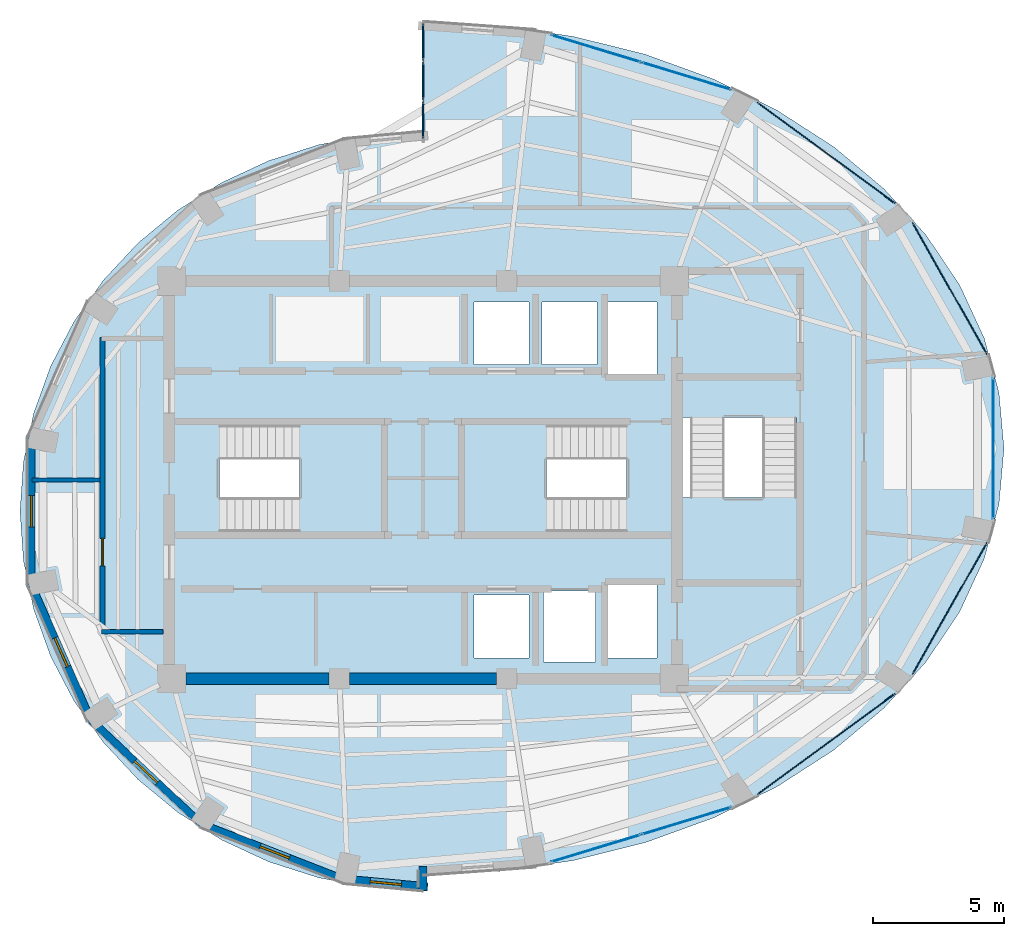
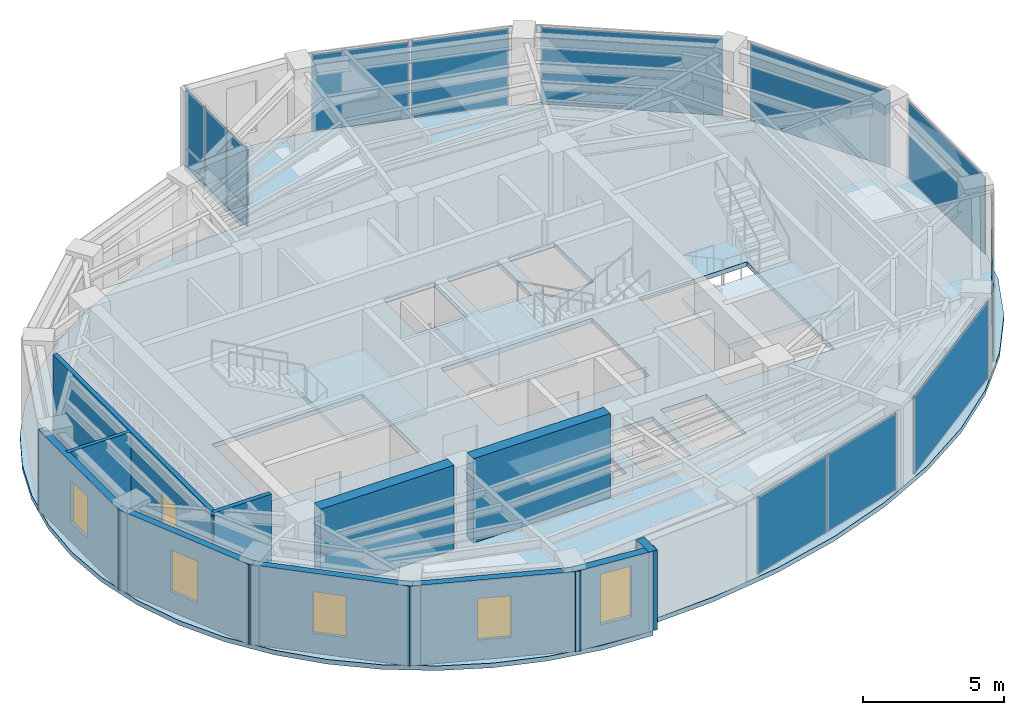
# One storey, part 10 of 15: 15 plates, 11 walls, 5 windows, 4 slabs, 1 door, 6 openings, 11 elements without a shape of their own.
"""IFC4 building model written with IfcOpenShell, lengths in metres."""

from ifc_helpers import new_model, si_unit, direction, frame, frame_2d, origin, origin_2d, place, context, subcontext, project, spatial, polyline, rectangle, outline, extrude, material, layer, layer_set, type_object, element, fill, aggregate, save


model = new_model("IFC4")

# Units and contexts
model_context = context("Model", 3, precision=1e-05, world=origin(), true_north=direction((0.0, 1.0)))
body_context = subcontext(model_context, "Body", "Model", "MODEL_VIEW")
ifc_project = project(units=[si_unit("LENGTHUNIT", "METRE"), si_unit("AREAUNIT", "SQUARE_METRE"), si_unit("VOLUMEUNIT", "CUBIC_METRE"), si_unit("PLANEANGLEUNIT", "RADIAN"), si_unit("MASSUNIT", "GRAM", prefix="KILO")], contexts=[model_context])

# Site, building, storey
site_placement = place(None, origin())
site = spatial("IfcSite", under=ifc_project, at=site_placement, CompositionType="ELEMENT")
building_placement = place(site_placement, origin())
building = spatial("IfcBuilding", under=site, at=building_placement, Name="Lazwardi Medical Tower", CompositionType="ELEMENT")
storey_placement = place(building_placement, frame((0.0, 0.0, 284.2080078125)))
storey = spatial("IfcBuildingStorey", under=building, at=storey_placement, Name="L74", CompositionType="ELEMENT", Elevation=284.2080078125)

# Curtain wall, plates
ifc_material_1 = material(Name="Anodised bronze aluminium and solar control glazing", Category="aluminium")
ifc_layer_1 = layer(ifc_material_1, 0.18994140625)
ifc_layer_set_1 = layer_set([ifc_layer_1], Name="Anodised bronze aluminium and solar control glazing")
curtain_wall_type_1 = type_object("IfcCurtainWallType", Name="CW-SYS-04", PredefinedType="NOTDEFINED", material=ifc_layer_set_1)
curtain_wall_1_placement = place(storey_placement, origin())
curtain_wall_1 = element("IfcCurtainWall", 1, at=curtain_wall_1_placement, inside=storey, type_object=curtain_wall_type_1, Name="L74 Unitised bronze curtain wall CW-04", PredefinedType="NOTDEFINED")
ifc_material_2 = material(Name="Low-e bronze solar control double glazing", Category="glass")
ifc_layer_2 = layer(ifc_material_2, 0.035888671875)
ifc_layer_set_2 = layer_set([ifc_layer_2], Name="Low-e bronze solar control double glazing")
plate_type_1 = type_object("IfcPlateType", Name="PLT-GLZ-01", PredefinedType="CURTAIN_PANEL", material=ifc_layer_set_2)
plate_1_placement = place(storey_placement, frame((42.604736328125, 13.918701171875, 0.06494140625), z_axis=(0.0, 0.0, 1.0), x_axis=(0.956850126972, 0.290581889515, 0.0)))
plate_1 = element("IfcPlate", 2, at=plate_1_placement, type_object=plate_type_1, Name="CW-04 panel 1.1", PredefinedType="CURTAIN_PANEL", context=body_context, shape_type="SweptSolid", body=[
    extrude(rectangle(XDim=3.554443359375, YDim=0.035888671875, at=origin_2d()), origin(), (0.0, 0.0, 1.0), 3.318115234375),
])
plate_2_placement = place(storey_placement, frame((46.068115234375, 14.970458984375, 0.06494140625), z_axis=(0.0, 0.0, 1.0), x_axis=(0.956850126972, 0.290581889515, 0.0)))
plate_2 = element("IfcPlate", 3, at=plate_2_placement, type_object=plate_type_1, Name="CW-04 panel 2.1", PredefinedType="CURTAIN_PANEL", context=body_context, shape_type="SweptSolid", body=[
    extrude(rectangle(XDim=3.554443359375, YDim=0.035888671875, at=origin_2d()), origin(), (0.0, 0.0, 1.0), 3.318115234375),
])
aggregate(curtain_wall_1, [plate_1, plate_2])

# Curtain wall, plate
curtain_wall_2_placement = place(storey_placement, origin())
curtain_wall_2 = element("IfcCurtainWall", 4, at=curtain_wall_2_placement, inside=storey, type_object=curtain_wall_type_1, Name="L74 Unitised bronze curtain wall CW-04", PredefinedType="NOTDEFINED")
plate_3_placement = place(storey_placement, frame((51.403564453125, 17.90673828125, 0.06494140625), z_axis=(0.0, 0.0, 1.0), x_axis=(0.806474971121, 0.591268230971, 0.0)))
plate_3 = element("IfcPlate", 5, at=plate_3_placement, type_object=plate_type_1, Name="CW-04 panel 1.1", PredefinedType="CURTAIN_PANEL", context=body_context, shape_type="SweptSolid", body=[
    extrude(rectangle(XDim=6.502685546875, YDim=0.035888671875, at=origin_2d()), origin(), (0.0, 0.0, 1.0), 3.318115234375),
])
aggregate(curtain_wall_2, [plate_3])

curtain_wall_3_placement = place(storey_placement, origin())
curtain_wall_3 = element("IfcCurtainWall", 6, at=curtain_wall_3_placement, inside=storey, type_object=curtain_wall_type_1, Name="L74 Unitised bronze curtain wall CW-04", PredefinedType="NOTDEFINED")
plate_4_placement = place(storey_placement, frame((56.125732421875, 23.088134765625, 0.06494140625), z_axis=(0.0, 0.0, 1.0), x_axis=(0.491900474661, 0.870651436011, 0.0)))
plate_4 = element("IfcPlate", 7, at=plate_4_placement, type_object=plate_type_1, Name="CW-04 panel 1.1", PredefinedType="CURTAIN_PANEL", context=body_context, shape_type="SweptSolid", body=[
    extrude(rectangle(XDim=5.755126953125, YDim=0.035888671875, at=origin_2d()), origin(), (0.0, 0.0, 1.0), 3.318115234375),
])
aggregate(curtain_wall_3, [plate_4])

curtain_wall_4_placement = place(storey_placement, origin())
curtain_wall_4 = element("IfcCurtainWall", 8, at=curtain_wall_4_placement, inside=storey, type_object=curtain_wall_type_1, Name="L74 Unitised bronze curtain wall CW-04", PredefinedType="NOTDEFINED")
plate_5_placement = place(storey_placement, frame((57.7841796875, 29.199951171875, 0.06494140625), z_axis=(0.0, 0.0, 1.0), x_axis=(0.0, 1.0, 0.0)))
plate_5 = element("IfcPlate", 9, at=plate_5_placement, type_object=plate_type_1, Name="CW-04 panel 1.1", PredefinedType="CURTAIN_PANEL", context=body_context, shape_type="SweptSolid", body=[
    extrude(rectangle(XDim=5.416015625, YDim=0.035888671875, at=origin_2d()), origin(), (0.0, 0.0, 1.0), 3.318115234375),
])
aggregate(curtain_wall_4, [plate_5])

curtain_wall_5_placement = place(storey_placement, origin())
curtain_wall_5 = element("IfcCurtainWall", 10, at=curtain_wall_5_placement, inside=storey, type_object=curtain_wall_type_1, Name="L74 Unitised bronze curtain wall CW-04", PredefinedType="NOTDEFINED")
plate_6_placement = place(storey_placement, frame((56.125732421875, 35.311767578125, 0.06494140625), z_axis=(0.0, 0.0, 1.0), x_axis=(-0.491900474661, 0.870651436011, 0.0)))
plate_6 = element("IfcPlate", 11, at=plate_6_placement, type_object=plate_type_1, Name="CW-04 panel 1.1", PredefinedType="CURTAIN_PANEL", context=body_context, shape_type="SweptSolid", body=[
    extrude(rectangle(XDim=5.755126953125, YDim=0.035888671875, at=origin_2d()), origin(), (0.0, 0.0, 1.0), 3.318115234375),
])
aggregate(curtain_wall_5, [plate_6])

curtain_wall_6_placement = place(storey_placement, origin())
curtain_wall_6 = element("IfcCurtainWall", 12, at=curtain_wall_6_placement, inside=storey, type_object=curtain_wall_type_1, Name="L74 Unitised bronze curtain wall CW-04", PredefinedType="NOTDEFINED")
plate_7_placement = place(storey_placement, frame((51.403564453125, 40.4931640625, 0.06494140625), z_axis=(0.0, 0.0, 1.0), x_axis=(-0.806474971121, 0.591268230971, 0.0)))
plate_7 = element("IfcPlate", 13, at=plate_7_placement, type_object=plate_type_1, Name="CW-04 panel 1.1", PredefinedType="CURTAIN_PANEL", context=body_context, shape_type="SweptSolid", body=[
    extrude(rectangle(XDim=6.502685546875, YDim=0.035888671875, at=origin_2d()), origin(), (0.0, 0.0, 1.0), 3.318115234375),
])
aggregate(curtain_wall_6, [plate_7])

# Curtain wall, plates
curtain_wall_7_placement = place(storey_placement, origin())
curtain_wall_7 = element("IfcCurtainWall", 14, at=curtain_wall_7_placement, inside=storey, type_object=curtain_wall_type_1, Name="L74 Unitised bronze curtain wall CW-04", PredefinedType="NOTDEFINED")
plate_8_placement = place(storey_placement, frame((46.068115234375, 43.429443359375, 0.06494140625), z_axis=(0.0, 0.0, 1.0), x_axis=(-0.956850126972, 0.290581889515, 0.0)))
plate_8 = element("IfcPlate", 15, at=plate_8_placement, type_object=plate_type_1, Name="CW-04 panel 1.1", PredefinedType="CURTAIN_PANEL", context=body_context, shape_type="SweptSolid", body=[
    extrude(rectangle(XDim=3.554443359375, YDim=0.035888671875, at=origin_2d()), origin(), (0.0, 0.0, 1.0), 3.318115234375),
])
plate_9_placement = place(storey_placement, frame((42.604736328125, 44.481201171875, 0.06494140625), z_axis=(0.0, 0.0, 1.0), x_axis=(-0.956850126972, 0.290581889515, 0.0)))
plate_9 = element("IfcPlate", 16, at=plate_9_placement, type_object=plate_type_1, Name="CW-04 panel 2.1", PredefinedType="CURTAIN_PANEL", context=body_context, shape_type="SweptSolid", body=[
    extrude(rectangle(XDim=3.554443359375, YDim=0.035888671875, at=origin_2d()), origin(), (0.0, 0.0, 1.0), 3.318115234375),
])
aggregate(curtain_wall_7, [plate_8, plate_9])

ifc_layer_3 = layer(ifc_material_1, 0.2099609375)
ifc_layer_set_3 = layer_set([ifc_layer_3], Name="Anodised bronze aluminium and solar control glazing")
curtain_wall_type_2 = type_object("IfcCurtainWallType", Name="CW-SYS-06", PredefinedType="NOTDEFINED", material=ifc_layer_set_3)
curtain_wall_8_placement = place(storey_placement, origin())
curtain_wall_8 = element("IfcCurtainWall", 17, at=curtain_wall_8_placement, inside=storey, type_object=curtain_wall_type_2, Name="L74 Unitised bronze curtain wall CW-06", PredefinedType="NOTDEFINED")
ifc_material_3 = material(Name="Turquoise glazed ceramic insulated panel", Category="glass")
ifc_layer_4 = layer(ifc_material_3, 0.053955078125)
ifc_layer_set_4 = layer_set([ifc_layer_4], Name="Turquoise glazed ceramic insulated panel")
plate_type_2 = type_object("IfcPlateType", Name="PLT-TRQ-01", PredefinedType="CURTAIN_PANEL", material=ifc_layer_set_4)
plate_10_placement = place(storey_placement, frame((36.0, 44.72802734375, 0.074951171875), z_axis=(0.0, 0.0, 1.0), x_axis=(0.0, -1.0, 0.0)))
plate_10 = element("IfcPlate", 18, at=plate_10_placement, type_object=plate_type_2, Name="CW-06 panel 1.1", PredefinedType="CURTAIN_PANEL", context=body_context, shape_type="SweptSolid", body=[
    extrude(rectangle(XDim=1.394287109375, YDim=0.053955078125, at=origin_2d()), origin(), (0.0, 0.0, 1.0), 0.78759765625),
])
plate_11_placement = place(storey_placement, frame((36.0, 44.72802734375, 0.9375), z_axis=(0.0, 0.0, 1.0), x_axis=(0.0, -1.0, 0.0)))
plate_11 = element("IfcPlate", 19, at=plate_11_placement, type_object=plate_type_2, Name="CW-06 panel 1.2", PredefinedType="CURTAIN_PANEL", context=body_context, shape_type="SweptSolid", body=[
    extrude(rectangle(XDim=1.394287109375, YDim=0.053955078125, at=origin_2d()), origin(), (0.0, 0.0, 1.0), 2.435546875),
])
plate_12_placement = place(storey_placement, frame((36.0, 43.239990234375, 0.074951171875), z_axis=(0.0, 0.0, 1.0), x_axis=(0.0, -1.0, 0.0)))
plate_12 = element("IfcPlate", 20, at=plate_12_placement, type_object=plate_type_2, Name="CW-06 panel 2.1", PredefinedType="CURTAIN_PANEL", context=body_context, shape_type="SweptSolid", body=[
    extrude(rectangle(XDim=1.431640625, YDim=0.053955078125, at=origin_2d()), origin(), (0.0, 0.0, 1.0), 0.78759765625),
])
plate_13_placement = place(storey_placement, frame((36.0, 43.239990234375, 0.9375), z_axis=(0.0, 0.0, 1.0), x_axis=(0.0, -1.0, 0.0)))
plate_13 = element("IfcPlate", 21, at=plate_13_placement, type_object=plate_type_2, Name="CW-06 panel 2.2", PredefinedType="CURTAIN_PANEL", context=body_context, shape_type="SweptSolid", body=[
    extrude(rectangle(XDim=1.431640625, YDim=0.053955078125, at=origin_2d()), origin(), (0.0, 0.0, 1.0), 2.435546875),
])
plate_14_placement = place(storey_placement, frame((36.0, 41.752197265625, 0.074951171875), z_axis=(0.0, 0.0, 1.0), x_axis=(0.0, -1.0, 0.0)))
plate_14 = element("IfcPlate", 22, at=plate_14_placement, type_object=plate_type_2, Name="CW-06 panel 3.1", PredefinedType="CURTAIN_PANEL", context=body_context, shape_type="SweptSolid", body=[
    extrude(rectangle(XDim=1.394287109375, YDim=0.053955078125, at=origin_2d()), origin(), (0.0, 0.0, 1.0), 0.78759765625),
])
plate_15_placement = place(storey_placement, frame((36.0, 41.752197265625, 0.9375), z_axis=(0.0, 0.0, 1.0), x_axis=(0.0, -1.0, 0.0)))
plate_15 = element("IfcPlate", 23, at=plate_15_placement, type_object=plate_type_2, Name="CW-06 panel 3.2", PredefinedType="CURTAIN_PANEL", context=body_context, shape_type="SweptSolid", body=[
    extrude(rectangle(XDim=1.394287109375, YDim=0.053955078125, at=origin_2d()), origin(), (0.0, 0.0, 1.0), 2.435546875),
])
aggregate(curtain_wall_8, [plate_10, plate_11, plate_12, plate_13, plate_14, plate_15])

# Stair, slab
ifc_material_4 = material(Name="Concrete C45/55", Category="concrete")
stair_type = type_object("IfcStairType", Name="STR-WRD", PredefinedType="HALF_TURN_STAIR", material=ifc_material_4)
stair_1_placement = place(storey_placement, origin())
stair_1 = element("IfcStair", 24, at=stair_1_placement, inside=storey, type_object=stair_type, Name="L74 Protected Exit Stair ST1", PredefinedType="HALF_TURN_STAIR")
ifc_layer_5 = layer(ifc_material_4, 0.199951171875)
ifc_layer_set_5 = layer_set([ifc_layer_5], Name="Concrete C45/55")
slab_type_1 = type_object("IfcSlabType", Name="SLB-LND-190", PredefinedType="LANDING", material=ifc_layer_set_5)
slab_1_placement = place(storey_placement, frame((0.0, 0.0, 1.6240234375)))
slab_1 = element("IfcSlab", 25, at=slab_1_placement, type_object=slab_type_1, Name="ST1 landing 1", PredefinedType="LANDING", context=body_context, shape_type="SweptSolid", body=[
    extrude(outline(polyline([(31.27490234375, 25.840087890625), (34.580078125, 25.840087890625), (34.580078125, 30.280029296875), (31.27490234375, 30.280029296875), (31.27490234375, 25.840087890625)])), origin(), (0.0, 0.0, 1.0), 0.199951171875),
])
aggregate(stair_1, [slab_1])

stair_2_placement = place(storey_placement, origin())
stair_2 = element("IfcStair", 26, at=stair_2_placement, inside=storey, type_object=stair_type, Name="L74 Protected Exit Stair ST2", PredefinedType="HALF_TURN_STAIR")
slab_2_placement = place(storey_placement, frame((0.0, 0.0, 1.6240234375)))
slab_2 = element("IfcSlab", 27, at=slab_2_placement, type_object=slab_type_1, Name="ST2 landing 1", PredefinedType="LANDING", context=body_context, shape_type="SweptSolid", body=[
    extrude(outline(polyline([(40.72509765625, 30.280029296875), (37.419921875, 30.280029296875), (37.419921875, 25.840087890625), (40.72509765625, 25.840087890625), (40.72509765625, 30.280029296875)])), origin(), (0.0, 0.0, 1.0), 0.199951171875),
])
aggregate(stair_2, [slab_2])

stair_3_placement = place(storey_placement, origin())
stair_3 = element("IfcStair", 28, at=stair_3_placement, inside=storey, type_object=stair_type, Name="L74 Protected Exit Stair ST3", PredefinedType="HALF_TURN_STAIR")
slab_3_placement = place(storey_placement, frame((0.0, 0.0, 1.6240234375)))
slab_3 = element("IfcSlab", 29, at=slab_3_placement, type_object=slab_type_1, Name="ST3 landing 1", PredefinedType="LANDING", context=body_context, shape_type="SweptSolid", body=[
    extrude(outline(polyline([(45.860107421875, 27.324951171875), (45.860107421875, 24.02001953125), (50.4599609375, 24.02001953125), (50.4599609375, 27.324951171875), (45.860107421875, 27.324951171875)])), origin(), (0.0, 0.0, 1.0), 0.199951171875),
])
aggregate(stair_3, [slab_3])

# Slab
ifc_material_5 = material(Name="Concrete C50/60", Category="concrete")
ifc_layer_6 = layer(ifc_material_5, 0.199951171875)
ifc_layer_set_6 = layer_set([ifc_layer_6], Name="Concrete C50/60")
slab_type_2 = type_object("IfcSlabType", Name="SLB-UPP-200", PredefinedType="FLOOR", material=ifc_layer_set_6)
slab_4_placement = place(storey_placement, frame((0.0, 0.0, -0.199951171875)))
element("IfcSlab", 30, at=slab_4_placement, inside=storey, type_object=slab_type_2, Name="Structural floor slab SF-04 L74", PredefinedType="FLOOR", context=body_context, shape_type="SweptSolid", body=[
    extrude(outline(polyline([(23.782470703125, 17.972900390625), (25.110595703125, 16.547119140625), (26.625, 15.29638671875), (28.300048828125, 14.24267578125), (30.106689453125, 13.40380859375), (32.01416015625, 12.794189453125), (33.989990234375, 12.424072265625), (36.0, 12.300048828125), (36.0, 12.89990234375), (38.897705078125, 13.039306640625), (41.745849609375, 13.455322265625), (44.49560546875, 14.140869140625), (47.10009765625, 15.083740234375), (49.514404296875, 16.268310546875), (51.69775390625, 17.67431640625), (53.6123046875, 19.277099609375), (55.225830078125, 21.050048828125), (56.510009765625, 22.96240234375), (57.443603515625, 24.981201171875), (58.010009765625, 27.072509765625), (58.199951171875, 29.199951171875), (58.010009765625, 31.32763671875), (57.443603515625, 33.418701171875), (56.510009765625, 35.437744140625), (55.225830078125, 37.35009765625), (53.6123046875, 39.122802734375), (51.69775390625, 40.725830078125), (49.514404296875, 42.131591796875), (47.10009765625, 43.316162109375), (44.49560546875, 44.25927734375), (41.745849609375, 44.944580078125), (38.897705078125, 45.360595703125), (36.0, 45.5), (36.0, 41.300048828125), (33.989990234375, 41.176025390625), (32.01416015625, 40.805908203125), (30.106689453125, 40.1962890625), (28.300048828125, 39.357421875), (26.625, 38.3037109375), (25.110595703125, 37.052978515625), (23.782470703125, 35.626953125), (22.6630859375, 34.050048828125), (21.772216796875, 32.348876953125), (21.124755859375, 30.552978515625), (20.731689453125, 28.692626953125), (20.60009765625, 26.800048828125), (20.731689453125, 24.907470703125), (21.124755859375, 23.047119140625), (21.772216796875, 21.251220703125), (22.6630859375, 19.550048828125), (23.782470703125, 17.972900390625)]), holes=[polyline([(28.22509765625, 26.02001953125), (28.22509765625, 30.10009765625), (34.39990234375, 30.10009765625), (34.39990234375, 26.02001953125), (28.22509765625, 26.02001953125)]), polyline([(37.60009765625, 30.10009765625), (43.77490234375, 30.10009765625), (43.77490234375, 26.02001953125), (37.60009765625, 26.02001953125), (37.60009765625, 30.10009765625)]), polyline([(50.280029296875, 30.375), (50.280029296875, 24.179931640625), (45.840087890625, 24.179931640625), (45.840087890625, 30.375), (50.280029296875, 30.375)]), polyline([(40.050048828125, 32.39990234375), (37.949951171875, 32.39990234375), (37.949951171875, 34.800048828125), (40.050048828125, 34.800048828125), (40.050048828125, 32.39990234375)]), polyline([(40.550048828125, 32.39990234375), (40.550048828125, 34.800048828125), (42.64990234375, 34.800048828125), (42.64990234375, 32.39990234375), (40.550048828125, 32.39990234375)]), polyline([(37.949951171875, 23.60009765625), (40.050048828125, 23.60009765625), (40.050048828125, 21.199951171875), (37.949951171875, 21.199951171875), (37.949951171875, 23.60009765625)]), polyline([(44.949951171875, 34.800048828125), (44.949951171875, 32.0), (43.050048828125, 32.0), (43.050048828125, 34.800048828125), (44.949951171875, 34.800048828125)]), polyline([(44.949951171875, 21.199951171875), (43.050048828125, 21.199951171875), (43.050048828125, 24.0), (44.949951171875, 24.0), (44.949951171875, 21.199951171875)]), polyline([(40.60009765625, 21.050048828125), (40.60009765625, 23.75), (42.60009765625, 23.75), (42.60009765625, 21.050048828125), (40.60009765625, 21.050048828125)])]), origin(), (0.0, 0.0, 1.0), 0.199951171875),
])

# Wall
ifc_material_6 = material(Name="Fire-rated gypsum board on steel stud", Category="steel")
ifc_layer_7 = layer(ifc_material_6, 0.179931640625)
ifc_layer_set_7 = layer_set([ifc_layer_7], Name="Fire-rated gypsum board on steel stud")
wall_type_1 = type_object("IfcWallType", Name="WL-COR-180", PredefinedType="PARTITIONING", material=ifc_layer_set_7)
wall_1_placement = place(storey_placement, frame((26.06005859375, 22.199951171875, 0.0), z_axis=(0.0, 0.0, 1.0), x_axis=(-1.0, 0.0, 0.0)))
element("IfcWall", 31, at=wall_1_placement, inside=storey, type_object=wall_type_1, Name="L74 Corridor partition 7", PredefinedType="PARTITIONING", context=body_context, shape_type="SweptSolid", body=[
    extrude(rectangle(XDim=2.35009765625, YDim=0.179931640625, at=frame_2d((1.175048828125, 0.0))), origin(), (0.0, 0.0, 1.0), 3.447998046875),
])

# Wall, opening, door
wall_2_placement = place(storey_placement, frame((23.75, 22.159912109375, 0.0), z_axis=(0.0, 0.0, 1.0), x_axis=(0.0, 1.0, 0.0)))
wall_2 = element("IfcWall", 32, at=wall_2_placement, inside=storey, type_object=wall_type_1, Name="L74 Corridor partition 8", PredefinedType="PARTITIONING", context=body_context, shape_type="SweptSolid", body=[
    extrude(rectangle(XDim=11.280029296875, YDim=0.179931640625, at=frame_2d((5.64013671875, 0.0))), origin(), (0.0, 0.0, 1.0), 3.447998046875),
])
opening_1_placement = place(wall_2_placement, frame((2.553955078125, 0.0, 0.0)))
opening_1 = element("IfcOpeningElement", 33, at=opening_1_placement, cuts=wall_2, Name="Opening D-L74-014", PredefinedType="OPENING", context=body_context, shape_type="SweptSolid", body=[
    extrude(rectangle(XDim=1.050048828125, YDim=2.14990234375, at=frame_2d((0.52490234375, 1.074951171875))), frame((0.0, 0.099853515625, 0.0), z_axis=(0.0, -1.0, 0.0), x_axis=(1.0, 0.0, 0.0)), (0.0, 0.0, 1.0), 0.199951171875),
])
ifc_material_7 = material(Name="Anti-microbial laminate hospital leaf")
door_type = type_object("IfcDoorType", Name="DR-CLN-1050", OperationType="NOTDEFINED", PredefinedType="DOOR", material=ifc_material_7)
door_placement = place(opening_1_placement, origin())
door = element("IfcDoor", 34, at=door_placement, inside=storey, type_object=door_type, Name="L74 Outpatient Consultation Suite Door 01", OperationType="SINGLE_SWING_RIGHT", OverallHeight=2.14990234375, OverallWidth=1.050048828125, PredefinedType="DOOR", context=body_context, shape_type="SweptSolid", body=[
    extrude(rectangle(XDim=1.050048828125, YDim=2.14990234375, at=frame_2d((0.52490234375, 1.074951171875))), frame((0.0, 0.02490234375, 0.0), z_axis=(0.0, -1.0, 0.0), x_axis=(1.0, 0.0, 0.0)), (0.0, 0.0, 1.0), 0.050048828125),
])
fill(opening_1, door)

# Walls
ifc_material_8 = material(Name="Concrete C60/75", Category="concrete")
ifc_layer_8 = layer(ifc_material_8, 0.449951171875)
ifc_layer_set_8 = layer_set([ifc_layer_8], Name="Concrete C60/75")
wall_type_2 = type_object("IfcWallType", Name="WL-CORE-450", PredefinedType="SHEAR", material=ifc_layer_set_8)
wall_3_placement = place(storey_placement, frame((26.949951171875, 20.39990234375, 0.0), z_axis=(0.0, 0.0, 1.0), x_axis=(1.0, 0.0, 0.0)))
element("IfcWall", 35, at=wall_3_placement, inside=storey, type_object=wall_type_2, Name="Core wall CW-S4 S1 L74", PredefinedType="SHEAR", context=body_context, shape_type="SweptSolid", body=[
    extrude(rectangle(XDim=5.449951171875, YDim=0.449951171875, at=frame_2d((2.72509765625, 0.0))), origin(), (0.0, 0.0, 1.0), 3.64794921875),
])
wall_4_placement = place(storey_placement, frame((33.199951171875, 20.39990234375, 0.0), z_axis=(0.0, 0.0, 1.0), x_axis=(1.0, 0.0, 0.0)))
element("IfcWall", 36, at=wall_4_placement, inside=storey, type_object=wall_type_2, Name="Core wall CW-S4 S2 L74", PredefinedType="SHEAR", context=body_context, shape_type="SweptSolid", body=[
    extrude(rectangle(XDim=5.60009765625, YDim=0.449951171875, at=frame_2d((2.800048828125, 0.0))), origin(), (0.0, 0.0, 1.0), 3.64794921875),
])

# Wall, opening, window
ifc_material_9 = material(Name="Precast concrete C45/55", Category="concrete")
ifc_layer_9 = layer(ifc_material_9, 0.280029296875)
ifc_layer_set_9 = layer_set([ifc_layer_9], Name="Precast concrete C45/55")
wall_type_3 = type_object("IfcWallType", Name="WL-DRUM-280", PredefinedType="SOLIDWALL", material=ifc_layer_set_9)
wall_5_placement = place(storey_placement, frame((21.033203125, 29.701416015625, 0.0), z_axis=(0.0, 0.0, 1.0), x_axis=(0.0, -1.0, 0.0)))
wall_5 = element("IfcWall", 37, at=wall_5_placement, inside=storey, type_object=wall_type_3, Name="L74 West Drum Precast Wall 4", PredefinedType="SOLIDWALL", context=body_context, shape_type="SweptSolid", body=[
    extrude(rectangle(XDim=5.802978515625, YDim=0.280029296875, at=frame_2d((2.9013671875, 0.0))), origin(), (0.0, 0.0, 1.0), 3.447998046875),
])
opening_2_placement = place(wall_5_placement, frame((2.301513671875, 0.0, 0.85009765625)))
opening_2 = element("IfcOpeningElement", 38, at=opening_2_placement, cuts=wall_5, Name="Opening WN-04", PredefinedType="OPENING", context=body_context, shape_type="SweptSolid", body=[
    extrude(rectangle(XDim=1.199951171875, YDim=1.800048828125, at=frame_2d((0.60009765625, 0.89990234375))), frame((0.0, 0.14990234375, 0.0), z_axis=(0.0, -1.0, 0.0), x_axis=(1.0, 0.0, 0.0)), (0.0, 0.0, 1.0), 0.300048828125),
])
window_type_1 = type_object("IfcWindowType", Name="WIN-DRUM-1200", PartitioningType="SINGLE_PANEL", PredefinedType="WINDOW", material=ifc_material_2)
window_1_placement = place(opening_2_placement, origin())
window_1 = element("IfcWindow", 39, at=window_1_placement, inside=storey, type_object=window_type_1, Name="L74 West Drum Window 4", OverallHeight=1.800048828125, OverallWidth=1.199951171875, PartitioningType="SINGLE_PANEL", PredefinedType="WINDOW", context=body_context, shape_type="SweptSolid", body=[
    extrude(rectangle(XDim=1.199951171875, YDim=1.800048828125, at=frame_2d((0.60009765625, 0.89990234375))), frame((0.0, 0.030029296875, 0.0), z_axis=(0.0, -1.0, 0.0), x_axis=(1.0, 0.0, 0.0)), (0.0, 0.0, 1.0), 0.06005859375),
])
fill(opening_2, window_1)

wall_6_placement = place(storey_placement, frame((20.992919921875, 24.090087890625, 0.0), z_axis=(0.0, 0.0, 1.0), x_axis=(0.402867150469, -0.91525846572, 0.0)))
wall_6 = element("IfcWall", 40, at=wall_6_placement, inside=storey, type_object=wall_type_3, Name="L74 West Drum Precast Wall 5", PredefinedType="SOLIDWALL", context=body_context, shape_type="SweptSolid", body=[
    extrude(rectangle(XDim=5.85595703125, YDim=0.280029296875, at=frame_2d((2.927978515625, 0.0))), origin(), (0.0, 0.0, 1.0), 3.447998046875),
])
opening_3_placement = place(wall_6_placement, frame((2.327880859375, 0.0, 0.85009765625)))
opening_3 = element("IfcOpeningElement", 41, at=opening_3_placement, cuts=wall_6, Name="Opening WN-04", PredefinedType="OPENING", context=body_context, shape_type="SweptSolid", body=[
    extrude(rectangle(XDim=1.199951171875, YDim=1.800048828125, at=frame_2d((0.60009765625, 0.89990234375))), frame((0.0, 0.14990234375, 0.0), z_axis=(0.0, -1.0, 0.0), x_axis=(1.0, 0.0, 0.0)), (0.0, 0.0, 1.0), 0.300048828125),
])
window_2_placement = place(opening_3_placement, origin())
window_2 = element("IfcWindow", 42, at=window_2_placement, inside=storey, type_object=window_type_1, Name="L74 West Drum Window 5", OverallHeight=1.800048828125, OverallWidth=1.199951171875, PartitioningType="SINGLE_PANEL", PredefinedType="WINDOW", context=body_context, shape_type="SweptSolid", body=[
    extrude(rectangle(XDim=1.199951171875, YDim=1.800048828125, at=frame_2d((0.60009765625, 0.89990234375))), frame((0.0, 0.030029296875, 0.0), z_axis=(0.0, -1.0, 0.0), x_axis=(1.0, 0.0, 0.0)), (0.0, 0.0, 1.0), 0.06005859375),
])
fill(opening_3, window_2)

wall_7_placement = place(storey_placement, frame((23.239013671875, 18.890380859375, 0.0), z_axis=(0.0, 0.0, 1.0), x_axis=(0.728251519923, -0.685309947199, 0.0)))
wall_7 = element("IfcWall", 43, at=wall_7_placement, inside=storey, type_object=wall_type_3, Name="L74 West Drum Precast Wall 6", PredefinedType="SOLIDWALL", context=body_context, shape_type="SweptSolid", body=[
    extrude(rectangle(XDim=5.98095703125, YDim=0.280029296875, at=frame_2d((2.990478515625, 0.0))), origin(), (0.0, 0.0, 1.0), 3.447998046875),
])
opening_4_placement = place(wall_7_placement, frame((2.390625, 0.0, 0.85009765625)))
opening_4 = element("IfcOpeningElement", 44, at=opening_4_placement, cuts=wall_7, Name="Opening WN-04", PredefinedType="OPENING", context=body_context, shape_type="SweptSolid", body=[
    extrude(rectangle(XDim=1.199951171875, YDim=1.800048828125, at=frame_2d((0.60009765625, 0.89990234375))), frame((0.0, 0.14990234375, 0.0), z_axis=(0.0, -1.0, 0.0), x_axis=(1.0, 0.0, 0.0)), (0.0, 0.0, 1.0), 0.300048828125),
])
window_3_placement = place(opening_4_placement, origin())
window_3 = element("IfcWindow", 45, at=window_3_placement, inside=storey, type_object=window_type_1, Name="L74 West Drum Window 6", OverallHeight=1.800048828125, OverallWidth=1.199951171875, PartitioningType="SINGLE_PANEL", PredefinedType="WINDOW", context=body_context, shape_type="SweptSolid", body=[
    extrude(rectangle(XDim=1.199951171875, YDim=1.800048828125, at=frame_2d((0.60009765625, 0.89990234375))), frame((0.0, 0.030029296875, 0.0), z_axis=(0.0, -1.0, 0.0), x_axis=(1.0, 0.0, 0.0)), (0.0, 0.0, 1.0), 0.06005859375),
])
fill(opening_4, window_3)

wall_8_placement = place(storey_placement, frame((27.4287109375, 14.896484375, 0.0), z_axis=(0.0, 0.0, 1.0), x_axis=(0.931716550814, -0.36318627306, 0.0)))
wall_8 = element("IfcWall", 46, at=wall_8_placement, inside=storey, type_object=wall_type_3, Name="L74 West Drum Precast Wall 7", PredefinedType="SOLIDWALL", context=body_context, shape_type="SweptSolid", body=[
    extrude(rectangle(XDim=6.22412109375, YDim=0.280029296875, at=frame_2d((3.112060546875, 0.0))), origin(), (0.0, 0.0, 1.0), 3.447998046875),
])
opening_5_placement = place(wall_8_placement, frame((2.511962890625, 0.0, 0.85009765625)))
opening_5 = element("IfcOpeningElement", 47, at=opening_5_placement, cuts=wall_8, Name="Opening WN-04", PredefinedType="OPENING", context=body_context, shape_type="SweptSolid", body=[
    extrude(rectangle(XDim=1.199951171875, YDim=1.800048828125, at=frame_2d((0.60009765625, 0.89990234375))), frame((0.0, 0.14990234375, 0.0), z_axis=(0.0, -1.0, 0.0), x_axis=(1.0, 0.0, 0.0)), (0.0, 0.0, 1.0), 0.300048828125),
])
window_4_placement = place(opening_5_placement, origin())
window_4 = element("IfcWindow", 48, at=window_4_placement, inside=storey, type_object=window_type_1, Name="L74 West Drum Window 7", OverallHeight=1.800048828125, OverallWidth=1.199951171875, PartitioningType="SINGLE_PANEL", PredefinedType="WINDOW", context=body_context, shape_type="SweptSolid", body=[
    extrude(rectangle(XDim=1.199951171875, YDim=1.800048828125, at=frame_2d((0.60009765625, 0.89990234375))), frame((0.0, 0.030029296875, 0.0), z_axis=(0.0, -1.0, 0.0), x_axis=(1.0, 0.0, 0.0)), (0.0, 0.0, 1.0), 0.06005859375),
])
fill(opening_5, window_4)

ifc_layer_10 = layer(ifc_material_9, 0.320068359375)
ifc_layer_set_10 = layer_set([ifc_layer_10], Name="Precast concrete C45/55")
wall_type_4 = type_object("IfcWallType", Name="WL-IWAN-320", PredefinedType="SOLIDWALL", material=ifc_layer_set_10)
wall_9_placement = place(storey_placement, frame((32.97705078125, 12.739990234375, 0.0), z_axis=(0.0, 0.0, 1.0), x_axis=(0.995736155144, -0.092247001792, 0.0)))
wall_9 = element("IfcWall", 49, at=wall_9_placement, inside=storey, type_object=wall_type_4, Name="L74 Iwan Portal Return Wall SW_ret", PredefinedType="SOLIDWALL", context=body_context, shape_type="SweptSolid", body=[
    extrude(rectangle(XDim=3.215576171875, YDim=0.320068359375, at=frame_2d((1.60791015625, 0.0))), origin(), (0.0, 0.0, 1.0), 3.447998046875),
])
opening_6_placement = place(wall_9_placement, frame((1.0078125, 0.0, 0.85009765625)))
opening_6 = element("IfcOpeningElement", 50, at=opening_6_placement, cuts=wall_9, Name="Opening WN-01", PredefinedType="OPENING", context=body_context, shape_type="SweptSolid", body=[
    extrude(rectangle(XDim=1.199951171875, YDim=2.199951171875, at=frame_2d((0.60009765625, 1.10009765625))), frame((0.0, 0.169921875, 0.0), z_axis=(0.0, -1.0, 0.0), x_axis=(1.0, 0.0, 0.0)), (0.0, 0.0, 1.0), 0.340087890625),
])
window_type_2 = type_object("IfcWindowType", Name="WIN-IW-1200", PartitioningType="SINGLE_PANEL", PredefinedType="WINDOW", material=ifc_material_2)
window_5_placement = place(opening_6_placement, origin())
window_5 = element("IfcWindow", 51, at=window_5_placement, inside=storey, type_object=window_type_2, Name="L74 Iwan Slot Window SW_ret", OverallHeight=2.199951171875, OverallWidth=1.199951171875, PartitioningType="SINGLE_PANEL", PredefinedType="WINDOW", context=body_context, shape_type="SweptSolid", body=[
    extrude(rectangle(XDim=1.199951171875, YDim=2.199951171875, at=frame_2d((0.60009765625, 1.10009765625))), frame((0.0, 0.030029296875, 0.0), z_axis=(0.0, -1.0, 0.0), x_axis=(1.0, 0.0, 0.0)), (0.0, 0.0, 1.0), 0.06005859375),
])
fill(opening_6, window_5)

# Walls
wall_10_placement = place(storey_placement, frame((36.0, 12.300048828125, 0.0), z_axis=(0.0, 0.0, 1.0), x_axis=(0.0, 1.0, 0.0)))
element("IfcWall", 52, at=wall_10_placement, inside=storey, type_object=wall_type_4, Name="L74 Turquoise Tilework Iwan Seam Wall S_seam", PredefinedType="SOLIDWALL", context=body_context, shape_type="SweptSolid", body=[
    extrude(rectangle(XDim=0.919921875, YDim=0.320068359375, at=frame_2d((0.4599609375, 0.0))), origin(), (0.0, 0.0, 1.0), 3.447998046875),
])
ifc_material_10 = material(Name="Acoustic gypsum board partition")
ifc_layer_11 = layer(ifc_material_10, 0.14990234375)
ifc_layer_set_11 = layer_set([ifc_layer_11], Name="Acoustic gypsum board partition")
wall_type_5 = type_object("IfcWallType", Name="WL-WRD-150", PredefinedType="PARTITIONING", material=ifc_layer_set_11)
wall_11_placement = place(storey_placement, frame((21.068115234375, 28.0, 0.0), z_axis=(0.0, 0.0, 1.0), x_axis=(1.0, 0.0, 0.0)))
element("IfcWall", 53, at=wall_11_placement, inside=storey, type_object=wall_type_5, Name="L74 Room partition 1", PredefinedType="PARTITIONING", context=body_context, shape_type="SweptSolid", body=[
    extrude(rectangle(XDim=2.591796875, YDim=0.14990234375, at=frame_2d((1.2958984375, 0.0))), origin(), (0.0, 0.0, 1.0), 3.447998046875),
])

save(model, "model.ifc")
